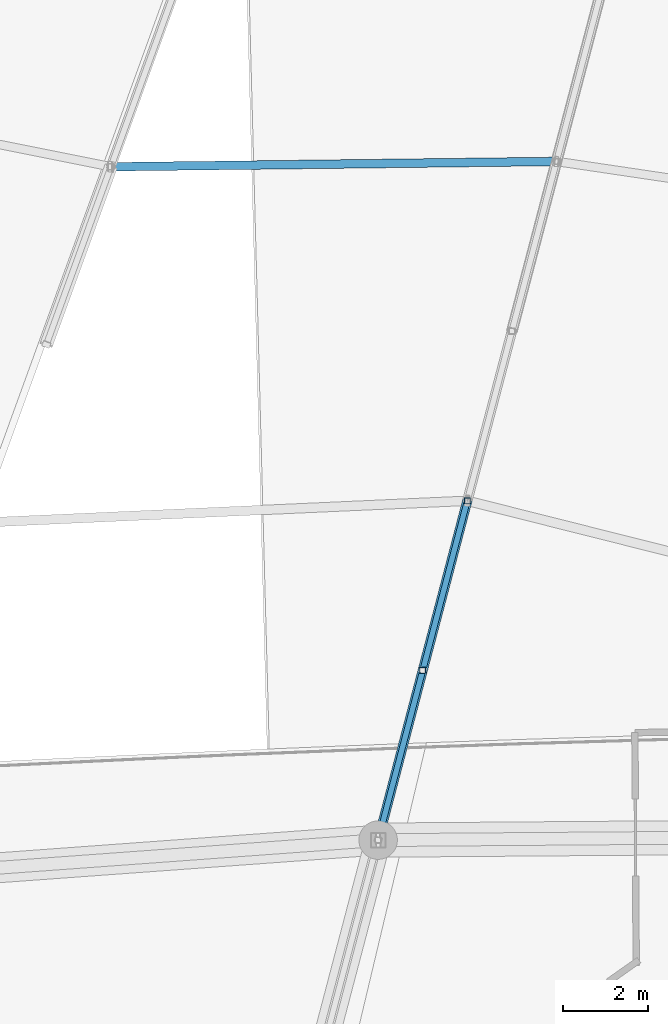
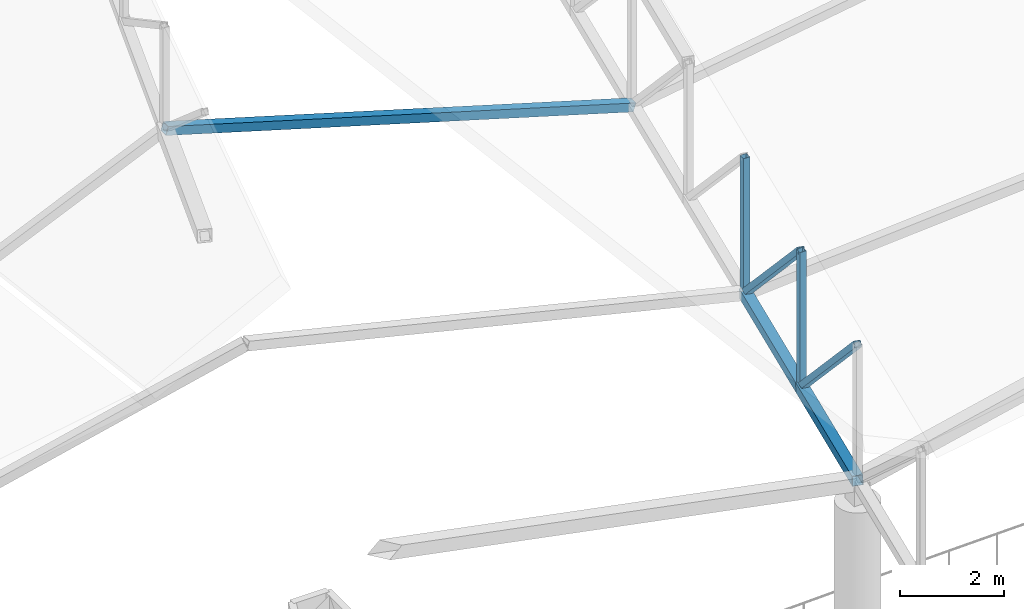
# One storey, part 31 of 344: 7 members.
"""IFC4 building model written with IfcOpenShell, lengths in metres."""

from ifc_helpers import new_model, si_unit, direction, frame, origin, origin_2d, place, context, subcontext, project, spatial, hollow_rectangle, extrude, material, material_profile, profile_set, type_object, element, save


model = new_model("IFC4")

# Units and contexts
model_context = context("Model", 3, precision=1e-05, world=origin(), true_north=direction((0.0, 1.0)))
body_context = subcontext(model_context, "Body", "Model", "MODEL_VIEW")
ifc_project = project(units=[si_unit("LENGTHUNIT", "METRE"), si_unit("AREAUNIT", "SQUARE_METRE"), si_unit("VOLUMEUNIT", "CUBIC_METRE"), si_unit("PLANEANGLEUNIT", "RADIAN"), si_unit("MASSUNIT", "GRAM", prefix="KILO")], contexts=[model_context])

# Site, building, storey
site_placement = place(None, origin())
site = spatial("IfcSite", under=ifc_project, at=site_placement, CompositionType="ELEMENT")
building_placement = place(site_placement, origin())
building = spatial("IfcBuilding", under=site, at=building_placement, Name="Meseta Stadium", CompositionType="ELEMENT")
storey_placement = place(building_placement, frame((0.0, 0.0, 24.0)))
storey = spatial("IfcBuildingStorey", under=building, at=storey_placement, Name="L04", CompositionType="ELEMENT", Elevation=24.0)

# Members
ifc_material_1 = material(Name="Steel S355", Category="steel")
ifc_material_profile_1 = material_profile(ifc_material_1, hollow_rectangle(XDim=0.139892578125, YDim=0.139892578125, WallThickness=0.0048828125, at=origin_2d()), Name="SHS 140x140x5")
ifc_profile_set_1 = profile_set([ifc_material_profile_1], Name="Steel S355")
member_type_1 = type_object("IfcMemberType", Name="SHS 140x140x5 diagonal", PredefinedType="BRACE", material=ifc_profile_set_1)
member_1_placement = place(storey_placement, frame((-18.56298828125, -81.716552734375, 4.100341796875), z_axis=(-0.187102108608, -0.711977600272, 0.676816590861), x_axis=(0.967161544872, -0.254162440421, 0.0)))
element("IfcMember", 1, at=member_1_placement, inside=storey, type_object=member_type_1, Name="ROOF TRUSS RT-45 diagonal", PredefinedType="BRACE", context=body_context, shape_type="SweptSolid", body=[
    extrude(hollow_rectangle(XDim=0.139892578125, YDim=0.139892578125, WallThickness=0.0048828125, at=origin_2d()), origin(), (0.0, 0.0, 1.0), 5.57568359375),
])
member_2_placement = place(storey_placement, frame((-19.606201171875, -85.686279296875, 4.674072265625), z_axis=(-0.187138528174, -0.711993356724, 0.676789946183), x_axis=(0.967150765776, -0.254203454457, 0.0)))
element("IfcMember", 2, at=member_2_placement, inside=storey, type_object=member_type_1, Name="ROOF TRUSS RT-45 diagonal", PredefinedType="BRACE", context=body_context, shape_type="SweptSolid", body=[
    extrude(hollow_rectangle(XDim=0.139892578125, YDim=0.139892578125, WallThickness=0.0048828125, at=origin_2d()), origin(), (0.0, 0.0, 1.0), 5.575927734375),
])
ifc_material_2 = material(Name="Steel S355", Category="steel")
ifc_material_profile_2 = material_profile(ifc_material_2, hollow_rectangle(XDim=0.139892578125, YDim=0.139892578125, WallThickness=0.0048828125, at=origin_2d()), Name="SHS 140x140x5")
ifc_profile_set_2 = profile_set([ifc_material_profile_2], Name="Steel S355")
member_type_2 = type_object("IfcMemberType", Name="SHS 140x140x5 post", PredefinedType="POST", material=ifc_profile_set_2)
for number, where, z_axis, x_axis, name in (
    (3, (-18.56298828125, -81.716552734375, 4.100341796875), (0.0, 0.0, 1.0), (1.0, 0.0, 0.0), "ROOF TRUSS RT-45 post"),
    (4, (-19.606201171875, -85.686279296875, 4.674072265625), (0.0, 0.0, 1.0), (1.0, 0.0, 0.0), "ROOF TRUSS RT-45 post"),
):
    element("IfcMember", number, at=place(storey_placement, frame(where, z_axis=z_axis, x_axis=x_axis)), inside=storey, type_object=member_type_2, Name=name, PredefinedType="POST", context=body_context, shape_type="SweptSolid", body=[
        extrude(hollow_rectangle(XDim=0.139892578125, YDim=0.139892578125, WallThickness=0.0048828125, at=origin_2d()), origin(), (0.0, 0.0, 1.0), 3.199951171875),
    ])
ifc_material_3 = material(Name="Steel S355", Category="steel")
ifc_material_profile_3 = material_profile(ifc_material_3, hollow_rectangle(XDim=0.199951171875, YDim=0.199951171875, WallThickness=0.008056640625, at=origin_2d()), Name="SHS 200x200x8")
ifc_profile_set_3 = profile_set([ifc_material_profile_3], Name="Steel S355")
member_type_3 = type_object("IfcMemberType", Name="SHS 200x200x8 strut", PredefinedType="STRUT", material=ifc_profile_set_3)
member_3_placement = place(storey_placement, frame((-26.901123046875, -73.901611328125, 6.12548828125), z_axis=(0.956608773584, 0.011470344077, -0.291149593009), x_axis=(-0.011989770433, 0.999928120119, 0.0)))
element("IfcMember", 5, at=member_3_placement, inside=storey, type_object=member_type_3, Name="ROOF TRUSS STRUT RT-44/45", PredefinedType="STRUT", context=body_context, shape_type="SweptSolid", body=[
    extrude(hollow_rectangle(XDim=0.199951171875, YDim=0.199951171875, WallThickness=0.008056640625, at=origin_2d()), origin(), (0.0, 0.0, 1.0), 10.897705078125),
])
ifc_material_4 = material(Name="Steel S355", Category="steel")
ifc_material_profile_4 = material_profile(ifc_material_4, hollow_rectangle(XDim=0.219970703125, YDim=0.219970703125, WallThickness=0.008056640625, at=origin_2d()), Name="SHS 220x220x8")
ifc_profile_set_4 = profile_set([ifc_material_profile_4], Name="Steel S355")
member_type_4 = type_object("IfcMemberType", Name="SHS 220x220x8 bottom chord", PredefinedType="CHORD", material=ifc_profile_set_4)
member_4_placement = place(storey_placement, frame((-18.56298828125, -81.716552734375, 4.100341796875), z_axis=(-0.251715258624, -0.957849310843, 0.138434555995), x_axis=(0.967161544872, -0.254162440421, 0.0)))
element("IfcMember", 6, at=member_4_placement, inside=storey, type_object=member_type_4, Name="ROOF TRUSS RT-45 bottom chord", PredefinedType="CHORD", context=body_context, shape_type="SweptSolid", body=[
    extrude(hollow_rectangle(XDim=0.219970703125, YDim=0.219970703125, WallThickness=0.008056640625, at=origin_2d()), origin(), (0.0, 0.0, 1.0), 4.14453125),
])
member_5_placement = place(storey_placement, frame((-19.606201171875, -85.686279296875, 4.674072265625), z_axis=(-0.25175622822, -0.9578399689, 0.138424692634), x_axis=(0.967150765776, -0.254203454457, 0.0)))
element("IfcMember", 7, at=member_5_placement, inside=storey, type_object=member_type_4, Name="ROOF TRUSS RT-45 bottom chord", PredefinedType="CHORD", context=body_context, shape_type="SweptSolid", body=[
    extrude(hollow_rectangle(XDim=0.219970703125, YDim=0.219970703125, WallThickness=0.008056640625, at=origin_2d()), origin(), (0.0, 0.0, 1.0), 4.144775390625),
])

save(model, "model.ifc")
